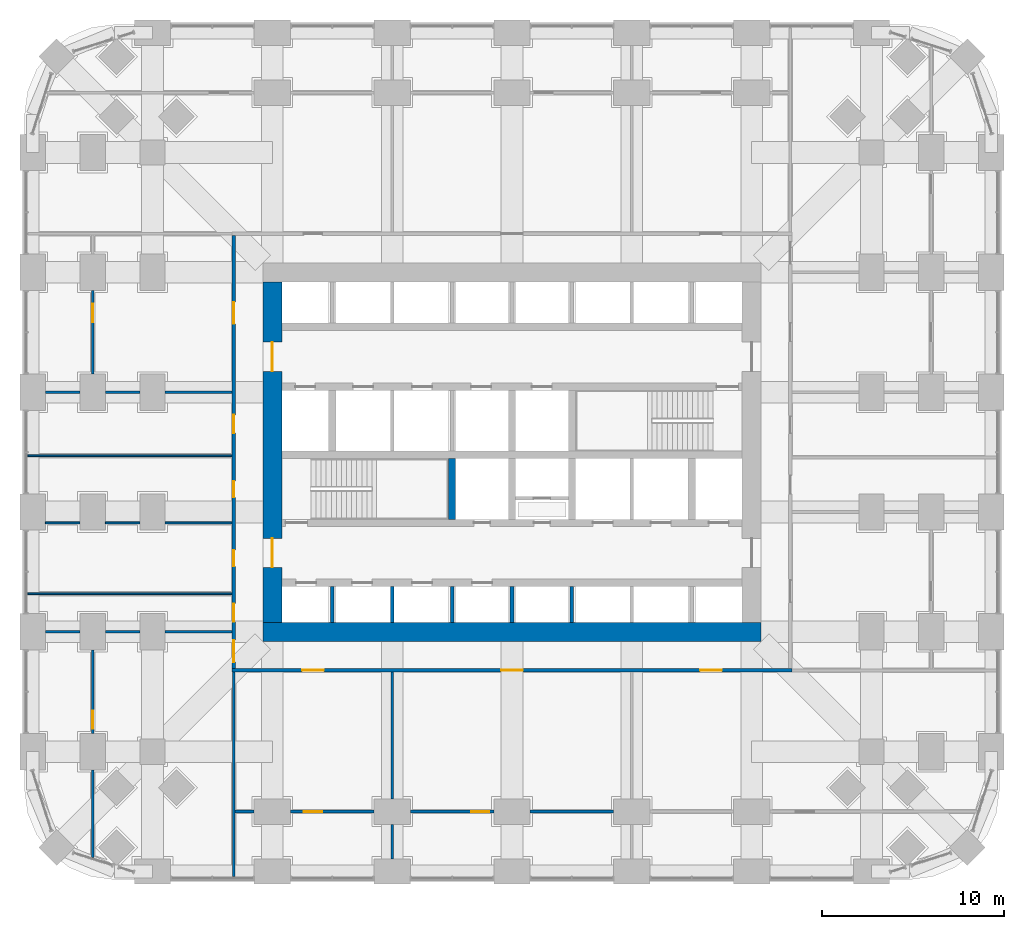
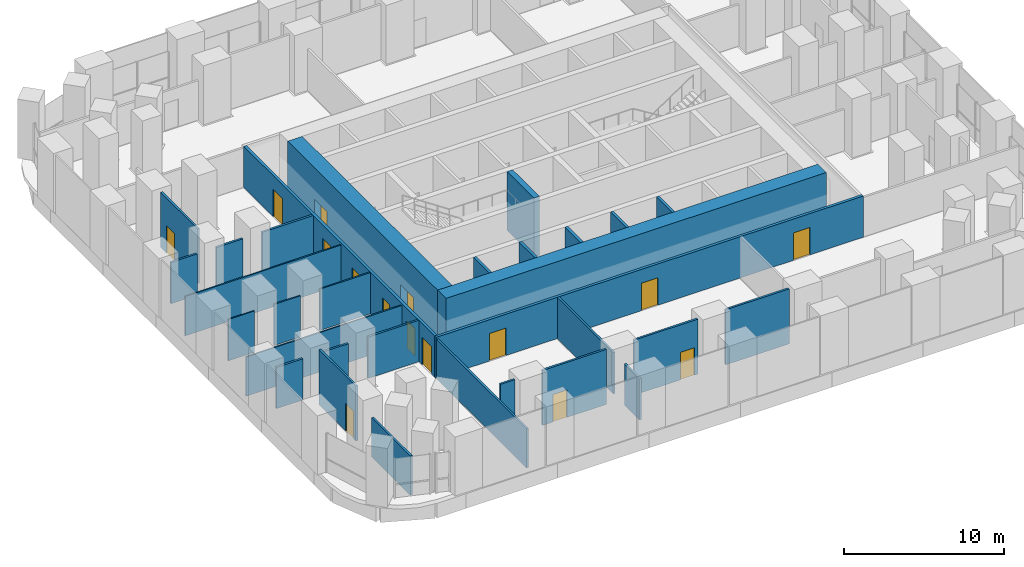
# One storey, part 11 of 17: 31 walls, 15 doors, 15 openings.
"""IFC4 building model written with IfcOpenShell, lengths in metres."""

from ifc_helpers import new_model, si_unit, direction, frame, frame_2d, origin, place, context, subcontext, project, spatial, rectangle, extrude, material, layer, layer_set, type_object, element, fill, save


model = new_model("IFC4")

# Units and contexts
model_context = context("Model", 3, precision=1e-05, world=origin(), true_north=direction((0.0, 1.0)))
body_context = subcontext(model_context, "Body", "Model", "MODEL_VIEW")
ifc_project = project(units=[si_unit("LENGTHUNIT", "METRE"), si_unit("AREAUNIT", "SQUARE_METRE"), si_unit("VOLUMEUNIT", "CUBIC_METRE"), si_unit("PLANEANGLEUNIT", "RADIAN"), si_unit("MASSUNIT", "GRAM", prefix="KILO")], contexts=[model_context])

# Site, building, storey
site_placement = place(None, origin())
site = spatial("IfcSite", under=ifc_project, at=site_placement, CompositionType="ELEMENT")
building_placement = place(site_placement, origin())
building = spatial("IfcBuilding", under=site, at=building_placement, Name="Cobogo Forest Laboratory Tower", CompositionType="ELEMENT")
storey_placement = place(building_placement, frame((0.0, 0.0, 12.60009765625)))
storey = spatial("IfcBuildingStorey", under=building, at=storey_placement, Name="L02", CompositionType="ELEMENT", Elevation=12.60009765625)

# Walls
ifc_material_1 = material(Name="Concrete HA-50 (C50/60)", Category="concrete")
ifc_layer_1 = layer(ifc_material_1, 0.39990234375)
ifc_layer_set_1 = layer_set([ifc_layer_1], Name="CI400 core inner wall 400")
wall_type_1 = type_object("IfcWallType", Name="CI400 core inner wall 400", PredefinedType="SHEAR", material=ifc_layer_set_1)
wall_1_placement = place(storey_placement, frame((23.10009765625, 19.39990234375, 0.0), z_axis=(0.0, 0.0, 1.0), x_axis=(0.0, 1.0, 0.0)))
element("IfcWall", 1, at=wall_1_placement, inside=storey, type_object=wall_type_1, Name="Core wall CX-23.1 L02", PredefinedType="SHEAR", context=body_context, shape_type="SweptSolid", body=[
    extrude(rectangle(XDim=3.35009765625, YDim=0.39990234375, at=frame_2d((1.675048828125, 0.0))), origin(), (0.0, 0.0, 1.0), 4.5),
])
ifc_layer_2 = layer(ifc_material_1, 1.050048828125)
ifc_layer_set_2 = layer_set([ifc_layer_2], Name="CW1050 core outer wall 1050")
wall_type_2 = type_object("IfcWallType", Name="CW1050 core outer wall 1050", PredefinedType="SHEAR", material=ifc_layer_set_2)
wall_2_placement = place(storey_placement, frame((12.675048828125, 13.199951171875, 0.0), z_axis=(0.0, 0.0, 1.0), x_axis=(1.0, 0.0, 0.0)))
element("IfcWall", 2, at=wall_2_placement, inside=storey, type_object=wall_type_2, Name="Core wall CO-S L02", PredefinedType="SHEAR", context=body_context, shape_type="SweptSolid", body=[
    extrude(rectangle(XDim=27.449951171875, YDim=1.050048828125, at=frame_2d((13.72509765625, 0.0))), origin(), (0.0, 0.0, 1.0), 4.5),
])

# Wall, openings, doors
wall_3_placement = place(storey_placement, frame((13.199951171875, 32.47509765625, 0.0), z_axis=(0.0, 0.0, 1.0), x_axis=(0.0, -1.0, 0.0)))
wall_3 = element("IfcWall", 3, at=wall_3_placement, inside=storey, type_object=wall_type_2, Name="Core wall CO-W L02", PredefinedType="SHEAR", context=body_context, shape_type="SweptSolid", body=[
    extrude(rectangle(XDim=18.75, YDim=1.050048828125, at=frame_2d((9.375, 0.0))), origin(), (0.0, 0.0, 1.0), 4.5),
])
opening_1_placement = place(wall_3_placement, frame((14.125, 0.0, 0.0)))
opening_1 = element("IfcOpeningElement", 4, at=opening_1_placement, cuts=wall_3, Name="Opening L02-D13", PredefinedType="OPENING", context=body_context, shape_type="SweptSolid", body=[
    extrude(rectangle(XDim=1.60009765625, YDim=2.10009765625, at=frame_2d((0.800048828125, 1.050048828125))), frame((0.0, 0.534912109375, 0.0), z_axis=(0.0, -1.0, 0.0), x_axis=(1.0, 0.0, 0.0)), (0.0, 0.0, 1.0), 1.070068359375),
])
opening_2_placement = place(wall_3_placement, frame((3.324951171875, 0.0, 0.0)))
opening_2 = element("IfcOpeningElement", 5, at=opening_2_placement, cuts=wall_3, Name="Opening L02-D24", PredefinedType="OPENING", context=body_context, shape_type="SweptSolid", body=[
    extrude(rectangle(XDim=1.60009765625, YDim=2.10009765625, at=frame_2d((0.800048828125, 1.050048828125))), frame((0.0, 0.534912109375, 0.0), z_axis=(0.0, -1.0, 0.0), x_axis=(1.0, 0.0, 0.0)), (0.0, 0.0, 1.0), 1.070068359375),
])
ifc_material_2 = material(Name="Steel fire door", Category="steel")
door_type_1 = type_object("IfcDoorType", Name="DS2 protected lobby door pair 1600 EI2 60", OperationType="DOUBLE_DOOR_DOUBLE_SWING", PredefinedType="DOOR", material=ifc_material_2)
door_1_placement = place(opening_1_placement, origin())
door_1 = element("IfcDoor", 6, at=door_1_placement, inside=storey, type_object=door_type_1, Name="Door L02-CO-W-S", OperationType="DOUBLE_DOOR_DOUBLE_SWING", OverallHeight=2.10009765625, OverallWidth=1.60009765625, PredefinedType="DOOR", context=body_context, shape_type="SweptSolid", body=[
    extrude(rectangle(XDim=1.60009765625, YDim=2.10009765625, at=frame_2d((0.800048828125, 1.050048828125))), frame((0.0, 0.02490234375, 0.0), z_axis=(0.0, -1.0, 0.0), x_axis=(1.0, 0.0, 0.0)), (0.0, 0.0, 1.0), 0.050048828125),
])
fill(opening_1, door_1)
door_2_placement = place(opening_2_placement, origin())
door_2 = element("IfcDoor", 7, at=door_2_placement, inside=storey, type_object=door_type_1, Name="Door L02-CO-W-N", OperationType="DOUBLE_DOOR_DOUBLE_SWING", OverallHeight=2.10009765625, OverallWidth=1.60009765625, PredefinedType="DOOR", context=body_context, shape_type="SweptSolid", body=[
    extrude(rectangle(XDim=1.60009765625, YDim=2.10009765625, at=frame_2d((0.800048828125, 1.050048828125))), frame((0.0, 0.02490234375, 0.0), z_axis=(0.0, -1.0, 0.0), x_axis=(1.0, 0.0, 0.0)), (0.0, 0.0, 1.0), 0.050048828125),
])
fill(opening_2, door_2)

# Walls
ifc_material_3 = material(Name="Gypsum board on steel studs", Category="steel")
ifc_layer_3 = layer(ifc_material_3, 0.14990234375)
ifc_layer_set_3 = layer_set([ifc_layer_3], Name="PT1 laboratory partition 150")
wall_type_3 = type_object("IfcWallType", Name="PT1 laboratory partition 150", PredefinedType="PARTITIONING", material=ifc_layer_set_3)
wall_4_placement = place(storey_placement, frame((11.074951171875, -0.27001953125, 0.0), z_axis=(0.0, 0.0, 1.0), x_axis=(0.0, 1.0, 0.0)))
element("IfcWall", 8, at=wall_4_placement, inside=storey, type_object=wall_type_3, Name="Partition PW-SW L02", PredefinedType="PARTITIONING", context=body_context, shape_type="SweptSolid", body=[
    extrude(rectangle(XDim=11.2451171875, YDim=0.14990234375, at=frame_2d((5.62255859375, 0.0))), origin(), (0.0, 0.0, 1.0), 3.0),
])
wall_5_placement = place(storey_placement, frame((11.14990234375, 3.300048828125, 0.0), z_axis=(0.0, 0.0, 1.0), x_axis=(1.0, 0.0, 0.0)))
element("IfcWall", 9, at=wall_5_placement, inside=storey, type_object=wall_type_3, Name="Partition STRIP-S-1 L02", PredefinedType="PARTITIONING", context=body_context, shape_type="SweptSolid", body=[
    extrude(rectangle(XDim=1.050048828125, YDim=0.14990234375, at=frame_2d((0.52490234375, 0.0))), origin(), (0.0, 0.0, 1.0), 4.199951171875),
])

# Wall, opening, door
wall_6_placement = place(storey_placement, frame((14.199951171875, 3.300048828125, 0.0), z_axis=(0.0, 0.0, 1.0), x_axis=(1.0, 0.0, 0.0)))
wall_6 = element("IfcWall", 10, at=wall_6_placement, inside=storey, type_object=wall_type_3, Name="Partition STRIP-S-2 L02", PredefinedType="PARTITIONING", context=body_context, shape_type="SweptSolid", body=[
    extrude(rectangle(XDim=4.60009765625, YDim=0.14990234375, at=frame_2d((2.300048828125, 0.0))), origin(), (0.0, 0.0, 1.0), 4.199951171875),
])
opening_3_placement = place(wall_6_placement, frame((0.737548828125, 0.0, 0.0)))
opening_3 = element("IfcOpeningElement", 11, at=opening_3_placement, cuts=wall_6, Name="Opening L02-D01", PredefinedType="OPENING", context=body_context, shape_type="SweptSolid", body=[
    extrude(rectangle(XDim=1.0, YDim=2.10009765625, at=frame_2d((0.5, 1.050048828125))), frame((0.0, 0.0849609375, 0.0), z_axis=(0.0, -1.0, 0.0), x_axis=(1.0, 0.0, 0.0)), (0.0, 0.0, 1.0), 0.169921875),
])
ifc_material_4 = material(Name="Timber fire door", Category="wood")
door_type_2 = type_object("IfcDoorType", Name="FD2 fire door 1000 EI2 30", OperationType="SINGLE_SWING_LEFT", PredefinedType="DOOR", material=ifc_material_4)
door_3_placement = place(opening_3_placement, origin())
door_3 = element("IfcDoor", 12, at=door_3_placement, inside=storey, type_object=door_type_2, Name="Door L02-S1W", OperationType="SINGLE_SWING_LEFT", OverallHeight=2.10009765625, OverallWidth=1.0, PredefinedType="DOOR", context=body_context, shape_type="SweptSolid", body=[
    extrude(rectangle(XDim=1.0, YDim=2.10009765625, at=frame_2d((0.5, 1.050048828125))), frame((0.0, 0.02490234375, 0.0), z_axis=(0.0, -1.0, 0.0), x_axis=(1.0, 0.0, 0.0)), (0.0, 0.0, 1.0), 0.050048828125),
])
fill(opening_3, door_3)

wall_7_placement = place(storey_placement, frame((20.800048828125, 3.300048828125, 0.0), z_axis=(0.0, 0.0, 1.0), x_axis=(1.0, 0.0, 0.0)))
wall_7 = element("IfcWall", 13, at=wall_7_placement, inside=storey, type_object=wall_type_3, Name="Partition STRIP-S-3 L02", PredefinedType="PARTITIONING", context=body_context, shape_type="SweptSolid", body=[
    extrude(rectangle(XDim=4.599853515625, YDim=0.14990234375, at=frame_2d((2.2998046875, 0.0))), origin(), (0.0, 0.0, 1.0), 4.199951171875),
])
opening_4_placement = place(wall_7_placement, frame((3.35009765625, 0.0, 0.0)))
opening_4 = element("IfcOpeningElement", 14, at=opening_4_placement, cuts=wall_7, Name="Opening L02-D02", PredefinedType="OPENING", context=body_context, shape_type="SweptSolid", body=[
    extrude(rectangle(XDim=1.0, YDim=2.10009765625, at=frame_2d((0.5, 1.050048828125))), frame((0.0, 0.0849609375, 0.0), z_axis=(0.0, -1.0, 0.0), x_axis=(1.0, 0.0, 0.0)), (0.0, 0.0, 1.0), 0.169921875),
])
door_4_placement = place(opening_4_placement, origin())
door_4 = element("IfcDoor", 15, at=door_4_placement, inside=storey, type_object=door_type_2, Name="Door L02-S2W", OperationType="SINGLE_SWING_RIGHT", OverallHeight=2.10009765625, OverallWidth=1.0, PredefinedType="DOOR", context=body_context, shape_type="SweptSolid", body=[
    extrude(rectangle(XDim=1.0, YDim=2.10009765625, at=frame_2d((0.5, 1.050048828125))), frame((0.0, 0.02490234375, 0.0), z_axis=(0.0, -1.0, 0.0), x_axis=(1.0, 0.0, 0.0)), (0.0, 0.0, 1.0), 0.050048828125),
])
fill(opening_4, door_4)

# Walls
wall_8_placement = place(storey_placement, frame((27.39990234375, 3.300048828125, 0.0), z_axis=(0.0, 0.0, 1.0), x_axis=(1.0, 0.0, 0.0)))
element("IfcWall", 16, at=wall_8_placement, inside=storey, type_object=wall_type_3, Name="Partition STRIP-S-4 L02", PredefinedType="PARTITIONING", context=body_context, shape_type="SweptSolid", body=[
    extrude(rectangle(XDim=4.60009765625, YDim=0.14990234375, at=frame_2d((2.300048828125, 0.0))), origin(), (0.0, 0.0, 1.0), 4.199951171875),
])
wall_9_placement = place(storey_placement, frame((19.800048828125, 0.699951171875, 0.0), z_axis=(0.0, 0.0, 1.0), x_axis=(0.0, 1.0, 0.0)))
element("IfcWall", 17, at=wall_9_placement, inside=storey, type_object=wall_type_3, Name="Partition CUT-S19.8a-1 L02", PredefinedType="PARTITIONING", context=body_context, shape_type="SweptSolid", body=[
    extrude(rectangle(XDim=1.900146484375, YDim=0.14990234375, at=frame_2d((0.9501953125, 0.0))), origin(), (0.0, 0.0, 1.0), 3.14990234375),
])
wall_10_placement = place(storey_placement, frame((19.800048828125, 4.0, 0.0), z_axis=(0.0, 0.0, 1.0), x_axis=(0.0, 1.0, 0.0)))
element("IfcWall", 18, at=wall_10_placement, inside=storey, type_object=wall_type_3, Name="Partition CUT-S19.8b-1 L02", PredefinedType="PARTITIONING", context=body_context, shape_type="SweptSolid", body=[
    extrude(rectangle(XDim=6.97509765625, YDim=0.14990234375, at=frame_2d((3.487548828125, 0.0))), origin(), (0.0, 0.0, 1.0), 3.14990234375),
])

# Wall, opening, door
wall_11_placement = place(storey_placement, frame((3.300048828125, 32.0, 0.0), z_axis=(0.0, 0.0, 1.0), x_axis=(0.0, -1.0, 0.0)))
wall_11 = element("IfcWall", 19, at=wall_11_placement, inside=storey, type_object=wall_type_3, Name="Partition STRIP-W-2 L02", PredefinedType="PARTITIONING", context=body_context, shape_type="SweptSolid", body=[
    extrude(rectangle(XDim=4.60009765625, YDim=0.14990234375, at=frame_2d((2.300048828125, 0.0))), origin(), (0.0, 0.0, 1.0), 4.199951171875),
])
opening_5_placement = place(wall_11_placement, frame((0.737548828125, 0.0, 0.0)))
opening_5 = element("IfcOpeningElement", 20, at=opening_5_placement, cuts=wall_11, Name="Opening L02-D28", PredefinedType="OPENING", context=body_context, shape_type="SweptSolid", body=[
    extrude(rectangle(XDim=1.0, YDim=2.10009765625, at=frame_2d((0.5, 1.050048828125))), frame((0.0, 0.0849609375, 0.0), z_axis=(0.0, -1.0, 0.0), x_axis=(1.0, 0.0, 0.0)), (0.0, 0.0, 1.0), 0.169921875),
])
door_5_placement = place(opening_5_placement, origin())
door_5 = element("IfcDoor", 21, at=door_5_placement, inside=storey, type_object=door_type_2, Name="Door L02-W3W", OperationType="SINGLE_SWING_LEFT", OverallHeight=2.10009765625, OverallWidth=1.0, PredefinedType="DOOR", context=body_context, shape_type="SweptSolid", body=[
    extrude(rectangle(XDim=1.0, YDim=2.10009765625, at=frame_2d((0.5, 1.050048828125))), frame((0.0, 0.02490234375, 0.0), z_axis=(0.0, -1.0, 0.0), x_axis=(1.0, 0.0, 0.0)), (0.0, 0.0, 1.0), 0.050048828125),
])
fill(opening_5, door_5)

wall_12_placement = place(storey_placement, frame((3.300048828125, 12.199951171875, 0.0), z_axis=(0.0, 0.0, 1.0), x_axis=(0.0, -1.0, 0.0)))
wall_12 = element("IfcWall", 22, at=wall_12_placement, inside=storey, type_object=wall_type_3, Name="Partition STRIP-W-3 L02", PredefinedType="PARTITIONING", context=body_context, shape_type="SweptSolid", body=[
    extrude(rectangle(XDim=4.599853515625, YDim=0.14990234375, at=frame_2d((2.2998046875, 0.0))), origin(), (0.0, 0.0, 1.0), 4.199951171875),
])
opening_6_placement = place(wall_12_placement, frame((3.35009765625, 0.0, 0.0)))
opening_6 = element("IfcOpeningElement", 23, at=opening_6_placement, cuts=wall_12, Name="Opening L02-D04", PredefinedType="OPENING", context=body_context, shape_type="SweptSolid", body=[
    extrude(rectangle(XDim=1.0, YDim=2.10009765625, at=frame_2d((0.5, 1.050048828125))), frame((0.0, 0.0849609375, 0.0), z_axis=(0.0, -1.0, 0.0), x_axis=(1.0, 0.0, 0.0)), (0.0, 0.0, 1.0), 0.169921875),
])
door_6_placement = place(opening_6_placement, origin())
door_6 = element("IfcDoor", 24, at=door_6_placement, inside=storey, type_object=door_type_2, Name="Door L02-W1W", OperationType="SINGLE_SWING_RIGHT", OverallHeight=2.10009765625, OverallWidth=1.0, PredefinedType="DOOR", context=body_context, shape_type="SweptSolid", body=[
    extrude(rectangle(XDim=1.0, YDim=2.10009765625, at=frame_2d((0.5, 1.050048828125))), frame((0.0, 0.02490234375, 0.0), z_axis=(0.0, -1.0, 0.0), x_axis=(1.0, 0.0, 0.0)), (0.0, 0.0, 1.0), 0.050048828125),
])
fill(opening_6, door_6)

# Walls
wall_13_placement = place(storey_placement, frame((3.300048828125, 5.60009765625, 0.0), z_axis=(0.0, 0.0, 1.0), x_axis=(0.0, -1.0, 0.0)))
element("IfcWall", 25, at=wall_13_placement, inside=storey, type_object=wall_type_3, Name="Partition STRIP-W-4 L02", PredefinedType="PARTITIONING", context=body_context, shape_type="SweptSolid", body=[
    extrude(rectangle(XDim=4.823974609375, YDim=0.14990234375, at=frame_2d((2.412109375, 0.0))), origin(), (0.0, 0.0, 1.0), 3.0),
])
wall_14_placement = place(storey_placement, frame((0.699951171875, 13.199951171875, 0.0), z_axis=(0.0, 0.0, 1.0), x_axis=(1.0, 0.0, 0.0)))
element("IfcWall", 26, at=wall_14_placement, inside=storey, type_object=wall_type_3, Name="Partition CUT-W13.2-1 L02", PredefinedType="PARTITIONING", context=body_context, shape_type="SweptSolid", body=[
    extrude(rectangle(XDim=1.900146484375, YDim=0.14990234375, at=frame_2d((0.9501953125, 0.0))), origin(), (0.0, 0.0, 1.0), 3.14990234375),
])
wall_15_placement = place(storey_placement, frame((4.0, 13.199951171875, 0.0), z_axis=(0.0, 0.0, 1.0), x_axis=(1.0, 0.0, 0.0)))
element("IfcWall", 27, at=wall_15_placement, inside=storey, type_object=wall_type_3, Name="Partition CUT-W13.2-2 L02", PredefinedType="PARTITIONING", context=body_context, shape_type="SweptSolid", body=[
    extrude(rectangle(XDim=1.89990234375, YDim=0.14990234375, at=frame_2d((0.949951171875, 0.0))), origin(), (0.0, 0.0, 1.0), 3.14990234375),
])
wall_16_placement = place(storey_placement, frame((7.300048828125, 13.199951171875, 0.0), z_axis=(0.0, 0.0, 1.0), x_axis=(1.0, 0.0, 0.0)))
element("IfcWall", 28, at=wall_16_placement, inside=storey, type_object=wall_type_3, Name="Partition CUT-W13.2-3 L02", PredefinedType="PARTITIONING", context=body_context, shape_type="SweptSolid", body=[
    extrude(rectangle(XDim=3.675048828125, YDim=0.14990234375, at=frame_2d((1.83740234375, 0.0))), origin(), (0.0, 0.0, 1.0), 3.14990234375),
])
wall_17_placement = place(storey_placement, frame((0.699951171875, 26.39990234375, 0.0), z_axis=(0.0, 0.0, 1.0), x_axis=(1.0, 0.0, 0.0)))
element("IfcWall", 29, at=wall_17_placement, inside=storey, type_object=wall_type_3, Name="Partition CUT-W26.4-1 L02", PredefinedType="PARTITIONING", context=body_context, shape_type="SweptSolid", body=[
    extrude(rectangle(XDim=1.900146484375, YDim=0.14990234375, at=frame_2d((0.9501953125, 0.0))), origin(), (0.0, 0.0, 1.0), 3.14990234375),
])
wall_18_placement = place(storey_placement, frame((4.0, 26.39990234375, 0.0), z_axis=(0.0, 0.0, 1.0), x_axis=(1.0, 0.0, 0.0)))
element("IfcWall", 30, at=wall_18_placement, inside=storey, type_object=wall_type_3, Name="Partition CUT-W26.4-2 L02", PredefinedType="PARTITIONING", context=body_context, shape_type="SweptSolid", body=[
    extrude(rectangle(XDim=1.89990234375, YDim=0.14990234375, at=frame_2d((0.949951171875, 0.0))), origin(), (0.0, 0.0, 1.0), 3.14990234375),
])
wall_19_placement = place(storey_placement, frame((7.300048828125, 26.39990234375, 0.0), z_axis=(0.0, 0.0, 1.0), x_axis=(1.0, 0.0, 0.0)))
element("IfcWall", 31, at=wall_19_placement, inside=storey, type_object=wall_type_3, Name="Partition CUT-W26.4-3 L02", PredefinedType="PARTITIONING", context=body_context, shape_type="SweptSolid", body=[
    extrude(rectangle(XDim=3.675048828125, YDim=0.14990234375, at=frame_2d((1.83740234375, 0.0))), origin(), (0.0, 0.0, 1.0), 3.14990234375),
])

# Wall, openings, doors
ifc_layer_4 = layer(ifc_material_3, 0.199951171875)
ifc_layer_set_4 = layer_set([ifc_layer_4], Name="PT2 fire-rated corridor partition 200")
wall_type_4 = type_object("IfcWallType", Name="PT2 fire-rated corridor partition 200", PredefinedType="PARTITIONING", material=ifc_layer_set_4)
wall_20_placement = place(storey_placement, frame((10.97509765625, 11.074951171875, 0.0), z_axis=(0.0, 0.0, 1.0), x_axis=(1.0, 0.0, 0.0)))
wall_20 = element("IfcWall", 32, at=wall_20_placement, inside=storey, type_object=wall_type_4, Name="Partition CORR-S L02", PredefinedType="PARTITIONING", context=body_context, shape_type="SweptSolid", body=[
    extrude(rectangle(XDim=30.849853515625, YDim=0.199951171875, at=frame_2d((15.4248046875, 0.0))), origin(), (0.0, 0.0, 1.0), 3.14990234375),
])
opening_7_placement = place(wall_20_placement, frame((3.862548828125, 0.0, 0.0)))
opening_7 = element("IfcOpeningElement", 33, at=opening_7_placement, cuts=wall_20, Name="Opening L02-D05", PredefinedType="OPENING", context=body_context, shape_type="SweptSolid", body=[
    extrude(rectangle(XDim=1.199951171875, YDim=2.10009765625, at=frame_2d((0.60009765625, 1.050048828125))), frame((0.0, 0.10986328125, 0.0), z_axis=(0.0, -1.0, 0.0), x_axis=(1.0, 0.0, 0.0)), (0.0, 0.0, 1.0), 0.219970703125),
])
opening_8_placement = place(wall_20_placement, frame((14.824951171875, 0.0, 0.0)))
opening_8 = element("IfcOpeningElement", 34, at=opening_8_placement, cuts=wall_20, Name="Opening L02-D06", PredefinedType="OPENING", context=body_context, shape_type="SweptSolid", body=[
    extrude(rectangle(XDim=1.199951171875, YDim=2.10009765625, at=frame_2d((0.60009765625, 1.050048828125))), frame((0.0, 0.10986328125, 0.0), z_axis=(0.0, -1.0, 0.0), x_axis=(1.0, 0.0, 0.0)), (0.0, 0.0, 1.0), 0.219970703125),
])
opening_9_placement = place(wall_20_placement, frame((25.78759765625, 0.0, 0.0)))
opening_9 = element("IfcOpeningElement", 35, at=opening_9_placement, cuts=wall_20, Name="Opening L02-D07", PredefinedType="OPENING", context=body_context, shape_type="SweptSolid", body=[
    extrude(rectangle(XDim=1.199951171875, YDim=2.10009765625, at=frame_2d((0.60009765625, 1.050048828125))), frame((0.0, 0.10986328125, 0.0), z_axis=(0.0, -1.0, 0.0), x_axis=(1.0, 0.0, 0.0)), (0.0, 0.0, 1.0), 0.219970703125),
])
ifc_material_5 = material(Name="Timber door", Category="wood")
door_type_3 = type_object("IfcDoorType", Name="D2 laboratory door 1200 unequal pair", OperationType="DOUBLE_DOOR_SINGLE_SWING", PredefinedType="DOOR", material=ifc_material_5)
door_7_placement = place(opening_7_placement, origin())
door_7 = element("IfcDoor", 36, at=door_7_placement, inside=storey, type_object=door_type_3, Name="Door L02-S1", OperationType="DOUBLE_DOOR_SINGLE_SWING", OverallHeight=2.10009765625, OverallWidth=1.199951171875, PredefinedType="DOOR", context=body_context, shape_type="SweptSolid", body=[
    extrude(rectangle(XDim=1.199951171875, YDim=2.10009765625, at=frame_2d((0.60009765625, 1.050048828125))), frame((0.0, 0.02490234375, 0.0), z_axis=(0.0, -1.0, 0.0), x_axis=(1.0, 0.0, 0.0)), (0.0, 0.0, 1.0), 0.050048828125),
])
fill(opening_7, door_7)
door_8_placement = place(opening_8_placement, origin())
door_8 = element("IfcDoor", 37, at=door_8_placement, inside=storey, type_object=door_type_3, Name="Door L02-S2", OperationType="DOUBLE_DOOR_SINGLE_SWING", OverallHeight=2.10009765625, OverallWidth=1.199951171875, PredefinedType="DOOR", context=body_context, shape_type="SweptSolid", body=[
    extrude(rectangle(XDim=1.199951171875, YDim=2.10009765625, at=frame_2d((0.60009765625, 1.050048828125))), frame((0.0, 0.02490234375, 0.0), z_axis=(0.0, -1.0, 0.0), x_axis=(1.0, 0.0, 0.0)), (0.0, 0.0, 1.0), 0.050048828125),
])
fill(opening_8, door_8)
door_9_placement = place(opening_9_placement, origin())
door_9 = element("IfcDoor", 38, at=door_9_placement, inside=storey, type_object=door_type_3, Name="Door L02-S3", OperationType="DOUBLE_DOOR_SINGLE_SWING", OverallHeight=2.10009765625, OverallWidth=1.199951171875, PredefinedType="DOOR", context=body_context, shape_type="SweptSolid", body=[
    extrude(rectangle(XDim=1.199951171875, YDim=2.10009765625, at=frame_2d((0.60009765625, 1.050048828125))), frame((0.0, 0.02490234375, 0.0), z_axis=(0.0, -1.0, 0.0), x_axis=(1.0, 0.0, 0.0)), (0.0, 0.0, 1.0), 0.050048828125),
])
fill(opening_9, door_9)

wall_21_placement = place(storey_placement, frame((11.074951171875, 11.175048828125, 0.0), z_axis=(0.0, 0.0, 1.0), x_axis=(0.0, 1.0, 0.0)))
wall_21 = element("IfcWall", 39, at=wall_21_placement, inside=storey, type_object=wall_type_4, Name="Partition CORR-W L02", PredefinedType="PARTITIONING", context=body_context, shape_type="SweptSolid", body=[
    extrude(rectangle(XDim=23.849853515625, YDim=0.199951171875, at=frame_2d((11.9248046875, 0.0))), origin(), (0.0, 0.0, 1.0), 3.14990234375),
])
opening_10_placement = place(wall_21_placement, frame((0.362548828125, 0.0, 0.0)))
opening_10 = element("IfcOpeningElement", 40, at=opening_10_placement, cuts=wall_21, Name="Opening L02-D08", PredefinedType="OPENING", context=body_context, shape_type="SweptSolid", body=[
    extrude(rectangle(XDim=1.199951171875, YDim=2.10009765625, at=frame_2d((0.60009765625, 1.050048828125))), frame((0.0, 0.10986328125, 0.0), z_axis=(0.0, -1.0, 0.0), x_axis=(1.0, 0.0, 0.0)), (0.0, 0.0, 1.0), 0.219970703125),
])
opening_11_placement = place(wall_21_placement, frame((2.574951171875, 0.0, 0.0)))
opening_11 = element("IfcOpeningElement", 41, at=opening_11_placement, cuts=wall_21, Name="Opening L02-D09", PredefinedType="OPENING", context=body_context, shape_type="SweptSolid", body=[
    extrude(rectangle(XDim=1.0, YDim=2.10009765625, at=frame_2d((0.5, 1.050048828125))), frame((0.0, 0.10986328125, 0.0), z_axis=(0.0, -1.0, 0.0), x_axis=(1.0, 0.0, 0.0)), (0.0, 0.0, 1.0), 0.219970703125),
])
opening_12_placement = place(wall_21_placement, frame((5.625, 0.0, 0.0)))
opening_12 = element("IfcOpeningElement", 42, at=opening_12_placement, cuts=wall_21, Name="Opening L02-D12", PredefinedType="OPENING", context=body_context, shape_type="SweptSolid", body=[
    extrude(rectangle(XDim=0.89990234375, YDim=2.10009765625, at=frame_2d((0.449951171875, 1.050048828125))), frame((0.0, 0.10986328125, 0.0), z_axis=(0.0, -1.0, 0.0), x_axis=(1.0, 0.0, 0.0)), (0.0, 0.0, 1.0), 0.219970703125),
])
opening_13_placement = place(wall_21_placement, frame((9.425048828125, 0.0, 0.0)))
opening_13 = element("IfcOpeningElement", 43, at=opening_13_placement, cuts=wall_21, Name="Opening L02-D19", PredefinedType="OPENING", context=body_context, shape_type="SweptSolid", body=[
    extrude(rectangle(XDim=0.89990234375, YDim=2.10009765625, at=frame_2d((0.449951171875, 1.050048828125))), frame((0.0, 0.10986328125, 0.0), z_axis=(0.0, -1.0, 0.0), x_axis=(1.0, 0.0, 0.0)), (0.0, 0.0, 1.0), 0.219970703125),
])
opening_14_placement = place(wall_21_placement, frame((12.97509765625, 0.0, 0.0)))
opening_14 = element("IfcOpeningElement", 44, at=opening_14_placement, cuts=wall_21, Name="Opening L02-D22", PredefinedType="OPENING", context=body_context, shape_type="SweptSolid", body=[
    extrude(rectangle(XDim=1.0, YDim=2.10009765625, at=frame_2d((0.5, 1.050048828125))), frame((0.0, 0.10986328125, 0.0), z_axis=(0.0, -1.0, 0.0), x_axis=(1.0, 0.0, 0.0)), (0.0, 0.0, 1.0), 0.219970703125),
])
opening_15_placement = place(wall_21_placement, frame((18.987548828125, 0.0, 0.0)))
opening_15 = element("IfcOpeningElement", 45, at=opening_15_placement, cuts=wall_21, Name="Opening L02-D29", PredefinedType="OPENING", context=body_context, shape_type="SweptSolid", body=[
    extrude(rectangle(XDim=1.199951171875, YDim=2.10009765625, at=frame_2d((0.60009765625, 1.050048828125))), frame((0.0, 0.10986328125, 0.0), z_axis=(0.0, -1.0, 0.0), x_axis=(1.0, 0.0, 0.0)), (0.0, 0.0, 1.0), 0.219970703125),
])
door_10_placement = place(opening_10_placement, origin())
door_10 = element("IfcDoor", 46, at=door_10_placement, inside=storey, type_object=door_type_3, Name="Door L02-W1", OperationType="DOUBLE_DOOR_SINGLE_SWING", OverallHeight=2.10009765625, OverallWidth=1.199951171875, PredefinedType="DOOR", context=body_context, shape_type="SweptSolid", body=[
    extrude(rectangle(XDim=1.199951171875, YDim=2.10009765625, at=frame_2d((0.60009765625, 1.050048828125))), frame((0.0, 0.02490234375, 0.0), z_axis=(0.0, -1.0, 0.0), x_axis=(1.0, 0.0, 0.0)), (0.0, 0.0, 1.0), 0.050048828125),
])
fill(opening_10, door_10)
door_11_placement = place(opening_15_placement, origin())
door_11 = element("IfcDoor", 47, at=door_11_placement, inside=storey, type_object=door_type_3, Name="Door L02-W3", OperationType="DOUBLE_DOOR_SINGLE_SWING", OverallHeight=2.10009765625, OverallWidth=1.199951171875, PredefinedType="DOOR", context=body_context, shape_type="SweptSolid", body=[
    extrude(rectangle(XDim=1.199951171875, YDim=2.10009765625, at=frame_2d((0.60009765625, 1.050048828125))), frame((0.0, 0.02490234375, 0.0), z_axis=(0.0, -1.0, 0.0), x_axis=(1.0, 0.0, 0.0)), (0.0, 0.0, 1.0), 0.050048828125),
])
fill(opening_15, door_11)
door_12_placement = place(opening_14_placement, origin())
door_12 = element("IfcDoor", 48, at=door_12_placement, inside=storey, type_object=door_type_2, Name="Door L02-SHW", OperationType="SINGLE_SWING_RIGHT", OverallHeight=2.10009765625, OverallWidth=1.0, PredefinedType="DOOR", context=body_context, shape_type="SweptSolid", body=[
    extrude(rectangle(XDim=1.0, YDim=2.10009765625, at=frame_2d((0.5, 1.050048828125))), frame((0.0, 0.02490234375, 0.0), z_axis=(0.0, -1.0, 0.0), x_axis=(1.0, 0.0, 0.0)), (0.0, 0.0, 1.0), 0.050048828125),
])
fill(opening_14, door_12)
door_type_4 = type_object("IfcDoorType", Name="FD3 toilet fire door 900 EI2 30", OperationType="SINGLE_SWING_LEFT", PredefinedType="DOOR", material=ifc_material_4)
door_13_placement = place(opening_12_placement, origin())
door_13 = element("IfcDoor", 49, at=door_13_placement, inside=storey, type_object=door_type_4, Name="Door L02-WCF", OperationType="SINGLE_SWING_LEFT", OverallHeight=2.10009765625, OverallWidth=0.89990234375, PredefinedType="DOOR", context=body_context, shape_type="SweptSolid", body=[
    extrude(rectangle(XDim=0.89990234375, YDim=2.10009765625, at=frame_2d((0.449951171875, 1.050048828125))), frame((0.0, 0.02490234375, 0.0), z_axis=(0.0, -1.0, 0.0), x_axis=(1.0, 0.0, 0.0)), (0.0, 0.0, 1.0), 0.050048828125),
])
fill(opening_12, door_13)
door_14_placement = place(opening_13_placement, origin())
door_14 = element("IfcDoor", 50, at=door_14_placement, inside=storey, type_object=door_type_4, Name="Door L02-WCM", OperationType="SINGLE_SWING_LEFT", OverallHeight=2.10009765625, OverallWidth=0.89990234375, PredefinedType="DOOR", context=body_context, shape_type="SweptSolid", body=[
    extrude(rectangle(XDim=0.89990234375, YDim=2.10009765625, at=frame_2d((0.449951171875, 1.050048828125))), frame((0.0, 0.02490234375, 0.0), z_axis=(0.0, -1.0, 0.0), x_axis=(1.0, 0.0, 0.0)), (0.0, 0.0, 1.0), 0.050048828125),
])
fill(opening_13, door_14)
door_type_5 = type_object("IfcDoorType", Name="FDA1 accessible toilet fire door 1000 EI2 30", OperationType="SINGLE_SWING_RIGHT", PredefinedType="DOOR", material=ifc_material_4)
door_15_placement = place(opening_11_placement, origin())
door_15 = element("IfcDoor", 51, at=door_15_placement, inside=storey, type_object=door_type_5, Name="Door L02-WCA", OperationType="SINGLE_SWING_LEFT", OverallHeight=2.10009765625, OverallWidth=1.0, PredefinedType="DOOR", context=body_context, shape_type="SweptSolid", body=[
    extrude(rectangle(XDim=1.0, YDim=2.10009765625, at=frame_2d((0.5, 1.050048828125))), frame((0.0, 0.02490234375, 0.0), z_axis=(0.0, -1.0, 0.0), x_axis=(1.0, 0.0, 0.0)), (0.0, 0.0, 1.0), 0.050048828125),
])
fill(opening_11, door_15)

# Walls
ifc_layer_5 = layer(ifc_material_3, 0.10009765625)
ifc_layer_set_5 = layer_set([ifc_layer_5], Name="PT3 toilet partition 100")
wall_type_5 = type_object("IfcWallType", Name="PT3 toilet partition 100", PredefinedType="PARTITIONING", material=ifc_layer_set_5)
wall_22_placement = place(storey_placement, frame((-0.27001953125, 15.300048828125, 0.0), z_axis=(0.0, 0.0, 1.0), x_axis=(1.0, 0.0, 0.0)))
element("IfcWall", 52, at=wall_22_placement, inside=storey, type_object=wall_type_5, Name="Partition SVC-W1-1 L02", PredefinedType="PARTITIONING", context=body_context, shape_type="SweptSolid", body=[
    extrude(rectangle(XDim=11.2451171875, YDim=0.10009765625, at=frame_2d((5.62255859375, 0.0))), origin(), (0.0, 0.0, 1.0), 3.0),
])
wall_23_placement = place(storey_placement, frame((0.699951171875, 19.199951171875, 0.0), z_axis=(0.0, 0.0, 1.0), x_axis=(1.0, 0.0, 0.0)))
element("IfcWall", 53, at=wall_23_placement, inside=storey, type_object=wall_type_5, Name="Partition SVC-W2-1 L02", PredefinedType="PARTITIONING", context=body_context, shape_type="SweptSolid", body=[
    extrude(rectangle(XDim=1.900146484375, YDim=0.10009765625, at=frame_2d((0.9501953125, 0.0))), origin(), (0.0, 0.0, 1.0), 3.14990234375),
])
wall_24_placement = place(storey_placement, frame((4.0, 19.199951171875, 0.0), z_axis=(0.0, 0.0, 1.0), x_axis=(1.0, 0.0, 0.0)))
element("IfcWall", 54, at=wall_24_placement, inside=storey, type_object=wall_type_5, Name="Partition SVC-W2-2 L02", PredefinedType="PARTITIONING", context=body_context, shape_type="SweptSolid", body=[
    extrude(rectangle(XDim=1.89990234375, YDim=0.10009765625, at=frame_2d((0.949951171875, 0.0))), origin(), (0.0, 0.0, 1.0), 3.14990234375),
])
wall_25_placement = place(storey_placement, frame((7.300048828125, 19.199951171875, 0.0), z_axis=(0.0, 0.0, 1.0), x_axis=(1.0, 0.0, 0.0)))
element("IfcWall", 55, at=wall_25_placement, inside=storey, type_object=wall_type_5, Name="Partition SVC-W2-3 L02", PredefinedType="PARTITIONING", context=body_context, shape_type="SweptSolid", body=[
    extrude(rectangle(XDim=3.675048828125, YDim=0.10009765625, at=frame_2d((1.83740234375, 0.0))), origin(), (0.0, 0.0, 1.0), 3.14990234375),
])
wall_26_placement = place(storey_placement, frame((-0.27001953125, 22.89990234375, 0.0), z_axis=(0.0, 0.0, 1.0), x_axis=(1.0, 0.0, 0.0)))
element("IfcWall", 56, at=wall_26_placement, inside=storey, type_object=wall_type_5, Name="Partition SVC-W3-1 L02", PredefinedType="PARTITIONING", context=body_context, shape_type="SweptSolid", body=[
    extrude(rectangle(XDim=11.2451171875, YDim=0.10009765625, at=frame_2d((5.62255859375, 0.0))), origin(), (0.0, 0.0, 1.0), 3.0),
])
ifc_material_6 = material(Name="Concrete block", Category="concrete")
ifc_layer_6 = layer(ifc_material_6, 0.199951171875)
ifc_layer_set_6 = layer_set([ifc_layer_6], Name="SW200 lift shaft separator 200")
wall_type_6 = type_object("IfcWallType", Name="SW200 lift shaft separator 200", PredefinedType="PARTITIONING", material=ifc_layer_set_6)
for number, where, z_axis, x_axis, name in (
    (57, (16.5, 13.72509765625, 0.0), (0.0, 0.0, 1.0), (0.0, 1.0, 0.0), "Core wall SEP-S1 L02"),
    (58, (19.800048828125, 13.72509765625, 0.0), (0.0, 0.0, 1.0), (0.0, 1.0, 0.0), "Core wall SEP-S2 L02"),
    (59, (23.10009765625, 13.72509765625, 0.0), (0.0, 0.0, 1.0), (0.0, 1.0, 0.0), "Core wall SEP-S3 L02"),
    (60, (26.39990234375, 13.72509765625, 0.0), (0.0, 0.0, 1.0), (0.0, 1.0, 0.0), "Core wall SEP-S4 L02"),
    (61, (29.699951171875, 13.72509765625, 0.0), (0.0, 0.0, 1.0), (0.0, 1.0, 0.0), "Core wall SEP-S5 L02"),
):
    element("IfcWall", number, at=place(storey_placement, frame(where, z_axis=z_axis, x_axis=x_axis)), inside=storey, type_object=wall_type_6, Name=name, PredefinedType="PARTITIONING", context=body_context, shape_type="SweptSolid", body=[
        extrude(rectangle(XDim=1.974853515625, YDim=0.199951171875, at=frame_2d((0.9873046875, 0.0))), origin(), (0.0, 0.0, 1.0), 4.5),
    ])

save(model, "model.ifc")
